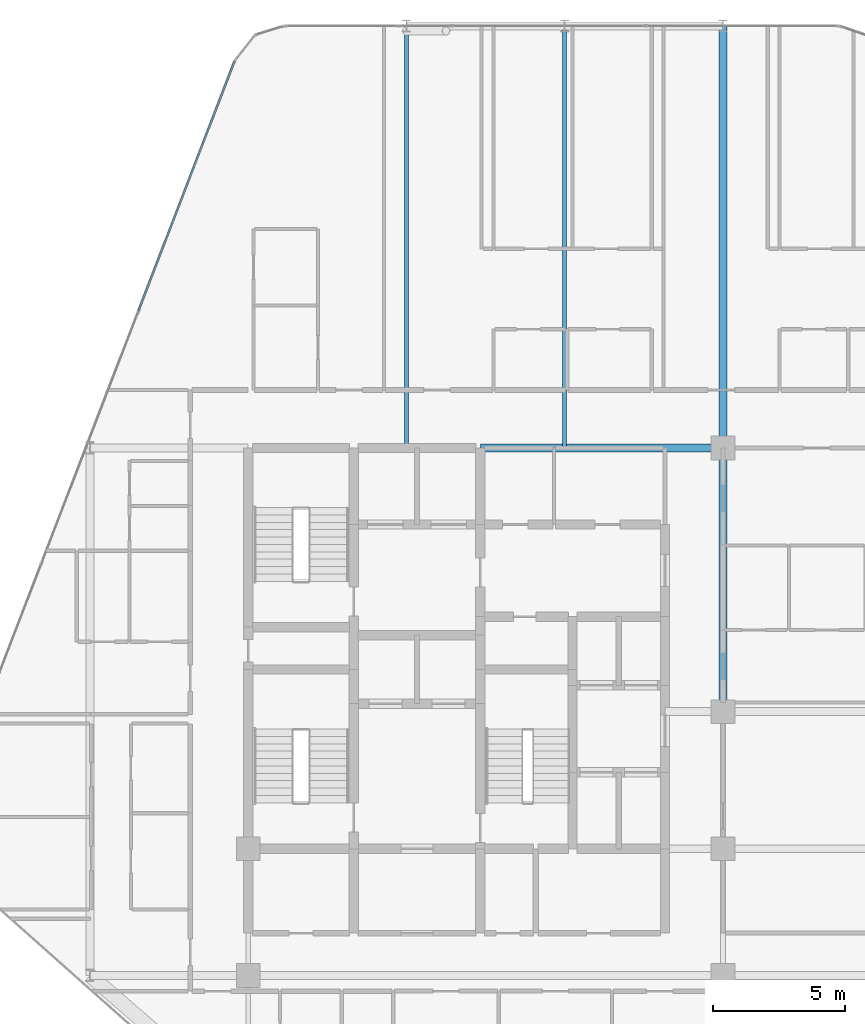
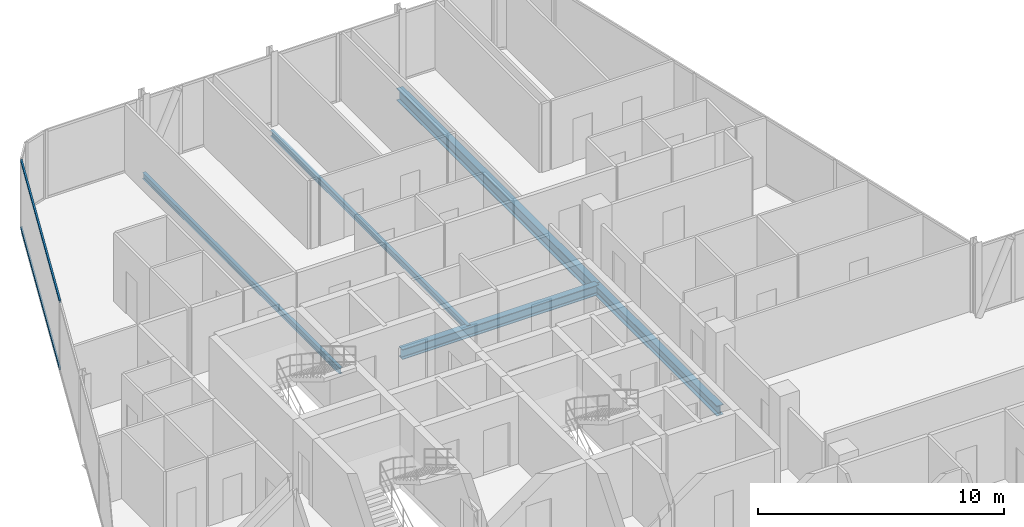
# One storey, part 17 of 29: 5 beams, 2 members, 1 element without a shape of its own.
"""IFC4 building model written with IfcOpenShell, lengths in metres."""

from ifc_helpers import new_model, si_unit, direction, frame, origin, origin_2d, place, context, subcontext, project, spatial, hollow_rectangle, i_section, extrude, material, layer, layer_set, material_profile, profile_set, type_object, element, aggregate, save


model = new_model("IFC4")

# Units and contexts
model_context = context("Model", 3, precision=1e-05, world=origin(), true_north=direction((0.0, 1.0)))
body_context = subcontext(model_context, "Body", "Model", "MODEL_VIEW")
ifc_project = project(units=[si_unit("LENGTHUNIT", "METRE"), si_unit("AREAUNIT", "SQUARE_METRE"), si_unit("VOLUMEUNIT", "CUBIC_METRE"), si_unit("PLANEANGLEUNIT", "RADIAN"), si_unit("MASSUNIT", "GRAM", prefix="KILO")], contexts=[model_context])

# Site, building, storey
site_placement = place(None, origin())
site = spatial("IfcSite", under=ifc_project, at=site_placement, CompositionType="ELEMENT")
building_placement = place(site_placement, origin())
building = spatial("IfcBuilding", under=site, at=building_placement, Name="Keshet Zoharim Tower", CompositionType="ELEMENT")
storey_placement = place(building_placement, frame((0.0, 0.0, 199.5)))
storey = spatial("IfcBuildingStorey", under=building, at=storey_placement, Name="L49", CompositionType="ELEMENT", Elevation=199.5)

# Beams
ifc_material_1 = material(Name="Steel S355", Category="steel")
ifc_material_profile_1 = material_profile(ifc_material_1, i_section(OverallWidth=0.14990234375, OverallDepth=0.300048828125, WebThickness=0.007080078125, FlangeThickness=0.0107421875, FilletRadius=0.014892578125, at=origin_2d()), Name="IPE300")
ifc_profile_set_1 = profile_set([ifc_material_profile_1], Name="Steel S355")
beam_type_1 = type_object("IfcBeamType", Name="BM-JST-IP300", PredefinedType="JOIST", material=ifc_profile_set_1)
for number, where, z_axis, x_axis, name in (
    (1, (21.0, 37.89990234375, -0.4599609375), (0.0, 1.0, 0.0), (-1.0, 0.0, 0.0), "L49 Secondary Floor Joist J-001"),
    (2, (27.0, 37.89990234375, -0.4599609375), (0.0, 1.0, 0.0), (-1.0, 0.0, 0.0), "L49 Secondary Floor Joist J-002"),
):
    element("IfcBeam", number, at=place(storey_placement, frame(where, z_axis=z_axis, x_axis=x_axis)), inside=storey, type_object=beam_type_1, Name=name, PredefinedType="JOIST", context=body_context, shape_type="SweptSolid", body=[
        extrude(i_section(OverallWidth=0.14990234375, OverallDepth=0.300048828125, WebThickness=0.007080078125, FlangeThickness=0.0107421875, FilletRadius=0.014892578125, at=origin_2d()), origin(), (0.0, 0.0, 1.0), 16.0),
    ])
ifc_material_profile_2 = material_profile(ifc_material_1, i_section(OverallWidth=0.300048828125, OverallDepth=0.60009765625, WebThickness=0.015380859375, FlangeThickness=0.030029296875, FilletRadius=0.027099609375, at=origin_2d()), Name="HEB600")
ifc_profile_set_2 = profile_set([ifc_material_profile_2], Name="Steel S355")
beam_type_2 = type_object("IfcBeamType", Name="BM-LNG-HB600", PredefinedType="BEAM", material=ifc_profile_set_2)
beam_1_placement = place(storey_placement, frame((33.0, 37.89990234375, -0.610107421875), z_axis=(0.0, 1.0, 0.0), x_axis=(-1.0, 0.0, 0.0)))
element("IfcBeam", 3, at=beam_1_placement, inside=storey, type_object=beam_type_2, Name="L49 Primary Girder Y-011", PredefinedType="BEAM", context=body_context, shape_type="SweptSolid", body=[
    extrude(i_section(OverallWidth=0.300048828125, OverallDepth=0.60009765625, WebThickness=0.015380859375, FlangeThickness=0.030029296875, FilletRadius=0.027099609375, at=origin_2d()), origin(), (0.0, 0.0, 1.0), 16.0),
])
ifc_material_profile_3 = material_profile(ifc_material_1, i_section(OverallWidth=0.300048828125, OverallDepth=0.5, WebThickness=0.014404296875, FlangeThickness=0.028076171875, FilletRadius=0.027099609375, at=origin_2d()), Name="HEB500")
ifc_profile_set_3 = profile_set([ifc_material_profile_3], Name="Steel S355")
beam_type_3 = type_object("IfcBeamType", Name="BM-MED-HB500", PredefinedType="BEAM", material=ifc_profile_set_3)
beam_2_placement = place(storey_placement, frame((23.800048828125, 37.89990234375, -0.56005859375), z_axis=(1.0, 0.0, 0.0), x_axis=(0.0, 1.0, 0.0)))
element("IfcBeam", 4, at=beam_2_placement, inside=storey, type_object=beam_type_3, Name="L49 Primary Girder X-018", PredefinedType="BEAM", context=body_context, shape_type="SweptSolid", body=[
    extrude(i_section(OverallWidth=0.300048828125, OverallDepth=0.5, WebThickness=0.014404296875, FlangeThickness=0.028076171875, FilletRadius=0.027099609375, at=origin_2d()), origin(), (0.0, 0.0, 1.0), 9.199951171875),
])
beam_3_placement = place(storey_placement, frame((33.0, 27.89990234375, -0.56005859375), z_axis=(0.0, 1.0, 0.0), x_axis=(-1.0, 0.0, 0.0)))
element("IfcBeam", 5, at=beam_3_placement, inside=storey, type_object=beam_type_3, Name="L49 Primary Girder Y-010", PredefinedType="BEAM", context=body_context, shape_type="SweptSolid", body=[
    extrude(i_section(OverallWidth=0.300048828125, OverallDepth=0.5, WebThickness=0.014404296875, FlangeThickness=0.028076171875, FilletRadius=0.027099609375, at=origin_2d()), origin(), (0.0, 0.0, 1.0), 10.0),
])

# Curtain wall, members
ifc_material_2 = material(Name="Aluminium 6063-T6", Category="aluminium")
ifc_layer = layer(ifc_material_2, 0.139892578125)
ifc_layer_set = layer_set([ifc_layer], Name="Aluminium 6063-T6")
curtain_wall_type = type_object("IfcCurtainWallType", Name="CW-SYS-05", PredefinedType="NOTDEFINED", material=ifc_layer_set)
curtain_wall_placement = place(storey_placement, origin())
curtain_wall = element("IfcCurtainWall", 6, at=curtain_wall_placement, inside=storey, type_object=curtain_wall_type, Name="L49 Unitised Curtain Wall 13", PredefinedType="NOTDEFINED")
ifc_material_profile_4 = material_profile(ifc_material_2, hollow_rectangle(XDim=0.074951171875, YDim=0.1201171875, WallThickness=0.00390625, at=origin_2d()), Name="TRN-75x120")
ifc_profile_set_4 = profile_set([ifc_material_profile_4], Name="Aluminium 6063-T6")
member_type = type_object("IfcMemberType", Name="CWT-T12", PredefinedType="USERDEFINED", material=ifc_profile_set_4)
member_1_placement = place(storey_placement, frame((10.849609375, 43.10888671875, 0.034912109375), z_axis=(0.358985546764, 0.933343118694, 0.0), x_axis=(-0.933343118694, 0.358985546764, 0.0)))
member_1 = element("IfcMember", 7, at=member_1_placement, type_object=member_type, Name="CW-05 transom 3.1", ObjectType="TRANSOM", PredefinedType="USERDEFINED", context=body_context, shape_type="SweptSolid", body=[
    extrude(hollow_rectangle(XDim=0.074951171875, YDim=0.1201171875, WallThickness=0.00390625, at=origin_2d()), origin(), (0.0, 0.0, 1.0), 10.118408203125),
])
member_2_placement = place(storey_placement, frame((10.849609375, 43.10888671875, 3.35498046875), z_axis=(0.358985546764, 0.933343118694, 0.0), x_axis=(-0.933343118694, 0.358985546764, 0.0)))
member_2 = element("IfcMember", 8, at=member_2_placement, type_object=member_type, Name="CW-05 transom 3.2", ObjectType="TRANSOM", PredefinedType="USERDEFINED", context=body_context, shape_type="SweptSolid", body=[
    extrude(hollow_rectangle(XDim=0.074951171875, YDim=0.1201171875, WallThickness=0.00390625, at=origin_2d()), origin(), (0.0, 0.0, 1.0), 10.118408203125),
])
aggregate(curtain_wall, [member_1, member_2])

save(model, "model.ifc")
